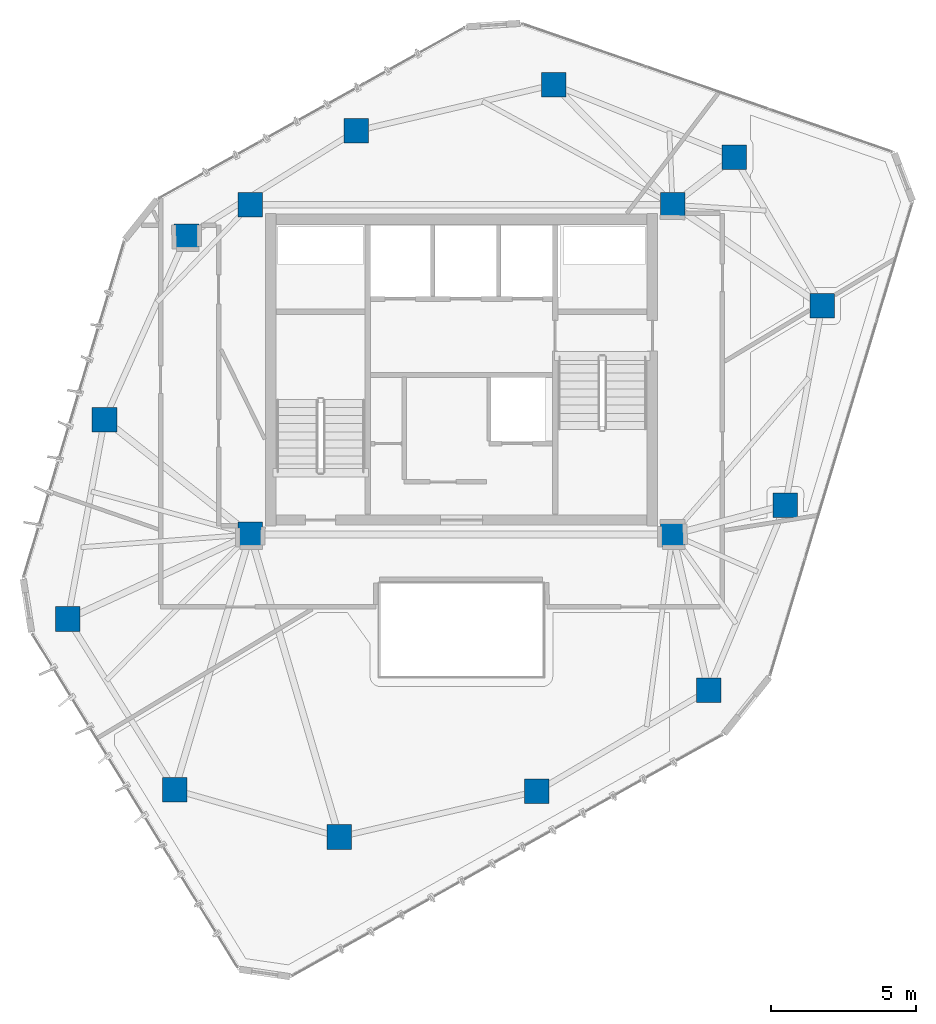
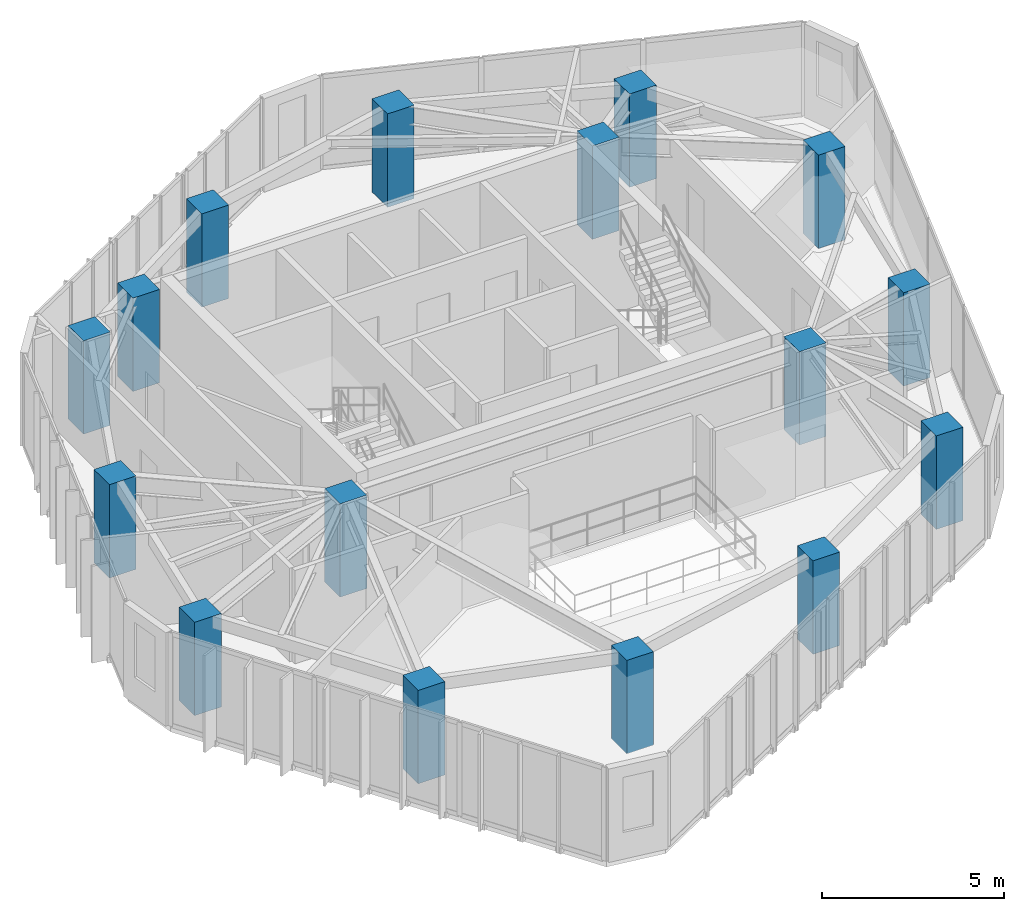
# One storey, part 1 of 20: 16 columns.
"""IFC4 building model written with IfcOpenShell, lengths in metres."""

from ifc_helpers import new_model, si_unit, direction, frame, origin, origin_2d, place, context, subcontext, project, spatial, rectangle, extrude, material, material_profile, profile_set, type_object, element, save


model = new_model("IFC4")

# Units and contexts
model_context = context("Model", 3, precision=1e-05, world=origin(), true_north=direction((0.0, 1.0)))
body_context = subcontext(model_context, "Body", "Model", "MODEL_VIEW")
ifc_project = project(units=[si_unit("LENGTHUNIT", "METRE"), si_unit("AREAUNIT", "SQUARE_METRE"), si_unit("VOLUMEUNIT", "CUBIC_METRE"), si_unit("PLANEANGLEUNIT", "RADIAN"), si_unit("MASSUNIT", "GRAM", prefix="KILO")], contexts=[model_context])

# Site, building, storey
site_placement = place(None, origin())
site = spatial("IfcSite", under=ifc_project, at=site_placement, CompositionType="ELEMENT")
building_placement = place(site_placement, origin())
building = spatial("IfcBuilding", under=site, at=building_placement, Name="Talar Marvaseh", CompositionType="ELEMENT")
storey_placement = place(building_placement, frame((0.0, 0.0, 257.800048828125)))
storey = spatial("IfcBuildingStorey", under=building, at=storey_placement, Name="L68", CompositionType="ELEMENT", Elevation=257.800048828125)

# Columns
ifc_material = material(Name="Concrete C50/60", Category="concrete")
ifc_material_profile = material_profile(ifc_material, rectangle(XDim=0.85009765625, YDim=0.85009765625, at=origin_2d()), Name="RC850x850")
ifc_profile_set = profile_set([ifc_material_profile], Name="Concrete C50/60")
column_type = type_object("IfcColumnType", Name="Zone 4 Tube Column RC850x850", PredefinedType="COLUMN", material=ifc_profile_set)
for number, where, z_axis, x_axis, name in (
    (1, (12.388916015625, 22.576904296875, 0.0), (0.0, 0.0, 1.0), (1.0, 0.0, 0.0), "L68 Zone 4 Tube Column RC850x850"),
    (2, (13.657958984375, 29.469970703125, 0.0), (0.0, 0.0, 1.0), (1.0, 0.0, 0.0), "L68 Zone 4 Tube Column RC850x850"),
    (3, (16.493896484375, 35.806884765625, 0.0), (0.0, 0.0, 1.0), (1.0, 0.0, 0.0), "L68 Zone 4 Tube Column RC850x850"),
    (4, (22.364990234375, 39.4541015625, 0.0), (0.0, 0.0, 1.0), (1.0, 0.0, 0.0), "L68 Zone 4 Tube Column RC850x850"),
    (5, (29.18798828125, 41.052001953125, 0.0), (0.0, 0.0, 1.0), (1.0, 0.0, 0.0), "L68 Zone 4 Tube Column RC850x850"),
    (6, (35.43798828125, 38.551025390625, 0.0), (0.0, 0.0, 1.0), (1.0, 0.0, 0.0), "L68 Zone 4 Tube Column RC850x850"),
    (7, (38.470947265625, 33.406005859375, 0.0), (0.0, 0.0, 1.0), (1.0, 0.0, 0.0), "L68 Zone 4 Tube Column RC850x850"),
    (8, (37.197021484375, 26.513916015625, 0.0), (0.0, 0.0, 1.0), (1.0, 0.0, 0.0), "L68 Zone 4 Tube Column RC850x850"),
    (9, (34.5439453125, 20.111083984375, 0.0), (0.0, 0.0, 1.0), (1.0, 0.0, 0.0), "L68 Zone 4 Tube Column RC850x850"),
    (10, (28.60498046875, 16.616943359375, 0.0), (0.0, 0.0, 1.0), (1.0, 0.0, 0.0), "L68 Zone 4 Tube Column RC850x850"),
    (11, (21.77587890625, 15.0400390625, 0.0), (0.0, 0.0, 1.0), (1.0, 0.0, 0.0), "L68 Zone 4 Tube Column RC850x850"),
    (12, (16.0869140625, 16.66796875, 0.0), (0.0, 0.0, 1.0), (1.0, 0.0, 0.0), "L68 Zone 4 Tube Column RC850x850"),
    (13, (18.699951171875, 25.5, 0.0), (0.0, 0.0, 1.0), (1.0, 0.0, 0.0), "L68 Zone 4 Tube Column RC850x850"),
    (14, (33.300048828125, 25.5, 0.0), (0.0, 0.0, 1.0), (1.0, 0.0, 0.0), "L68 Zone 4 Tube Column RC850x850"),
    (15, (33.300048828125, 36.89990234375, 0.0), (0.0, 0.0, 1.0), (1.0, 0.0, 0.0), "L68 Zone 4 Tube Column RC850x850"),
    (16, (18.699951171875, 36.89990234375, 0.0), (0.0, 0.0, 1.0), (1.0, 0.0, 0.0), "L68 Zone 4 Tube Column RC850x850"),
):
    element("IfcColumn", number, at=place(storey_placement, frame(where, z_axis=z_axis, x_axis=x_axis)), inside=storey, type_object=column_type, Name=name, PredefinedType="COLUMN", context=body_context, shape_type="SweptSolid", body=[
        extrude(rectangle(XDim=0.85009765625, YDim=0.85009765625, at=origin_2d()), origin(), (0.0, 0.0, 1.0), 3.139892578125),
    ])

save(model, "model.ifc")
